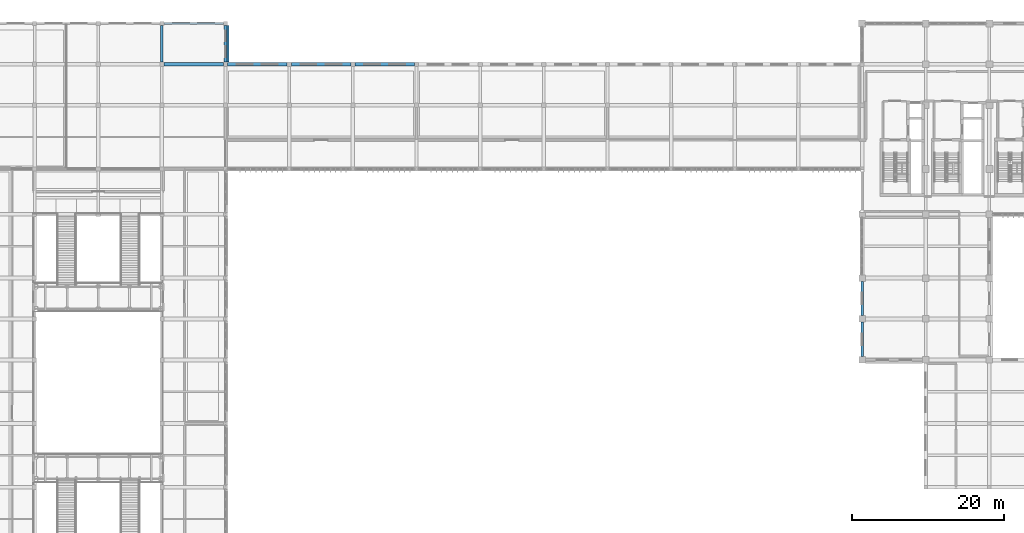
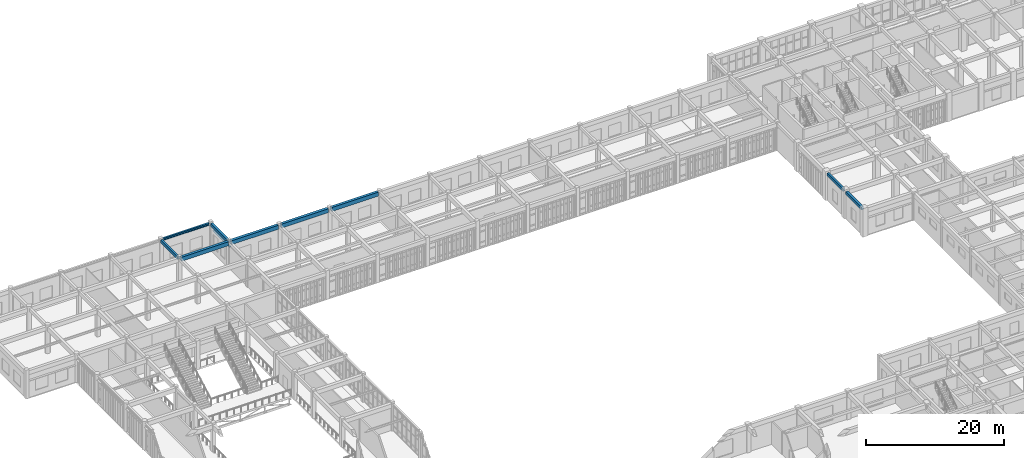
# One storey, part 42 of 106: 9 beams, 1 member.
"""IFC4 building model written with IfcOpenShell, lengths in metres."""

import ifcopenshell
import ifcopenshell.guid

model = None  # the IFC model being written
_history = None  # IfcOwnerHistory: only IFC2X3 demands one
_inside = {}  # id of a spatial element -> (the spatial element, [elements in it])
_under = {}  # id of a project, library or spatial element -> (it, [spatial elements below it])
_declared = {}  # id of a project -> (the project, [libraries it declares])
_typed = {}  # id of a type object -> (the type object, [elements of that type])
_made_of = {}  # id of a material, layer set ... -> (it, [elements and type objects made of it])


def new_model(schema):
    """Start an empty IFC model of exactly this schema.

    Asked for "IFC4X3", IfcOpenShell would pick the latest addendum, in which some entities
    have other attributes; the version numbers below select the first issue.
    IFC2X3 requires an IfcOwnerHistory on every rooted entity: one is made here for all.
    """
    global model, _history
    if schema == "IFC4X3":
        model = ifcopenshell.file(schema_version=(4, 3, 0, 0))
    else:
        model = ifcopenshell.file(schema=schema)
    _inside.clear()
    _under.clear()
    _declared.clear()
    _typed.clear()
    _made_of.clear()
    _history = None
    if model.schema == "IFC2X3":
        org = make("IfcOrganization", Name="unknown")
        user = make(
            "IfcPersonAndOrganization",
            ThePerson=make("IfcPerson", FamilyName="unknown"),
            TheOrganization=org,
        )
        app = make(
            "IfcApplication",
            ApplicationDeveloper=org,
            Version="unknown",
            ApplicationFullName="unknown",
            ApplicationIdentifier="unknown",
        )
        _history = make(
            "IfcOwnerHistory",
            OwningUser=user,
            OwningApplication=app,
            ChangeAction="ADDED",
            CreationDate=0,
        )
    return model


def make(cls, **values):
    """One entity of the class cls with the attributes given. An attribute that is None is left unset."""
    return model.create_entity(
        cls, **{name: value for name, value in values.items() if value is not None}
    )


def rooted(cls, **values):
    """An entity with a GlobalId (a new one), such as an element, a storey or a relation."""
    return make(cls, GlobalId=ifcopenshell.guid.new(), OwnerHistory=_history, **values)


def si_unit(unit_type, name, prefix=None):
    """IfcSIUnit, for example si_unit("LENGTHUNIT", "METRE", prefix="MILLI")."""
    return make("IfcSIUnit", UnitType=unit_type, Prefix=prefix, Name=name)


def assignment(units):
    """IfcUnitAssignment: the units of a project."""
    return None if units is None else make("IfcUnitAssignment", Units=units)


def point(xyz):
    """IfcCartesianPoint."""
    return None if xyz is None else make("IfcCartesianPoint", Coordinates=xyz)


def direction(xyz):
    """IfcDirection."""
    return None if xyz is None else make("IfcDirection", DirectionRatios=xyz)


def frame(location, z_axis=None, x_axis=None):
    """IfcAxis2Placement3D, a coordinate frame: its origin and axes. An axis left out is left unset."""
    return make(
        "IfcAxis2Placement3D",
        Location=point(location),
        Axis=direction(z_axis),
        RefDirection=direction(x_axis),
    )


def frame_2d(location, x_axis=None):
    """IfcAxis2Placement2D, a coordinate frame in the plane: its origin and x axis."""
    return make(
        "IfcAxis2Placement2D", Location=point(location), RefDirection=direction(x_axis)
    )


def origin():
    """The frame at (0, 0, 0) with its axes left unset."""
    return frame((0.0, 0.0, 0.0))


def origin_2d():
    """The frame at (0, 0) in the plane with its x axis left unset."""
    return frame_2d((0.0, 0.0))


def place(relative_to, where):
    """IfcLocalPlacement: puts the frame where relative to a parent placement (None: the world)."""
    return make(
        "IfcLocalPlacement", PlacementRelTo=relative_to, RelativePlacement=where
    )


def context(
    kind, dimensions, precision=None, world=None, true_north=None, identifier=None
):
    """IfcGeometricRepresentationContext, for example the 3D "Model" context."""
    return make(
        "IfcGeometricRepresentationContext",
        ContextIdentifier=identifier,
        ContextType=kind,
        CoordinateSpaceDimension=dimensions,
        Precision=precision,
        WorldCoordinateSystem=world,
        TrueNorth=true_north,
    )


def subcontext(parent, identifier, kind, view, scale=None):
    """IfcGeometricRepresentationSubContext, for example "Body" below "Model"."""
    return make(
        "IfcGeometricRepresentationSubContext",
        ContextIdentifier=identifier,
        ContextType=kind,
        ParentContext=parent,
        TargetScale=scale,
        TargetView=view,
    )


def project(units=None, contexts=None):
    """IfcProject with its units and contexts."""
    return rooted(
        "IfcProject",
        Name="project",
        RepresentationContexts=contexts,
        UnitsInContext=assignment(units),
    )


def spatial(cls, under=None, at=None, **own):
    """A site, building, storey or space (cls), placed at a placement, below another one or the project."""
    s = rooted(cls, ObjectPlacement=at, **own)
    if under is not None:
        _under.setdefault(under.id(), (under, []))[1].append(s)
    return s


def profile(cls, at=None, kind="AREA", **sizes):
    """A parametric profile (cls). Its sizes go by their IFC names, for example OverallWidth=200.0."""
    return make(cls, ProfileType=kind, Position=at, **sizes)


def rectangle(**sizes):
    """IfcRectangleProfileDef."""
    return profile("IfcRectangleProfileDef", **sizes)


def hollow_rectangle(**sizes):
    """IfcRectangleHollowProfileDef."""
    return profile("IfcRectangleHollowProfileDef", **sizes)


def i_section(**sizes):
    """IfcIShapeProfileDef."""
    return profile("IfcIShapeProfileDef", **sizes)


def extrude(swept, where, along, depth):
    """IfcExtrudedAreaSolid: the profile swept, set in the frame where, extruded along a direction by depth."""
    return make(
        "IfcExtrudedAreaSolid",
        SweptArea=swept,
        Position=where,
        ExtrudedDirection=direction(along),
        Depth=depth,
    )


def shape(context_of_items, identifier, shape_type, items):
    """IfcShapeRepresentation: the items that make up one representation, for example the "Body"."""
    return make(
        "IfcShapeRepresentation",
        ContextOfItems=context_of_items,
        RepresentationIdentifier=identifier,
        RepresentationType=shape_type,
        Items=items,
    )


def material(Name=None, Category=None):
    """IfcMaterial."""
    return make("IfcMaterial", Name=Name, Category=Category)


def material_profile(
    of_material, cross_section, Name=None, Category=None, Priority=None
):
    """IfcMaterialProfile: a cross section and its material."""
    return make(
        "IfcMaterialProfile",
        Name=Name,
        Material=of_material,
        Profile=cross_section,
        Priority=Priority,
        Category=Category,
    )


def profile_set(profiles, Name=None, composite=None):
    """IfcMaterialProfileSet."""
    return make(
        "IfcMaterialProfileSet",
        Name=Name,
        MaterialProfiles=profiles,
        CompositeProfile=composite,
    )


def made_of(thing, what):
    """Note that an element or type object is made of a material, layer set ...; save() writes the relation."""
    if what is not None:
        _made_of.setdefault(what.id(), (what, []))[1].append(thing)
    return thing


def type_object(cls, material=None, **own):
    """A type object (cls), such as IfcWallType, which elements share."""
    return made_of(rooted(cls, **own), material)


def element(
    cls,
    number,
    at=None,
    inside=None,
    cuts=None,
    type_object=None,
    material=None,
    context=None,
    identifier="Body",
    shape_type=None,
    held_by="IfcProductDefinitionShape",
    body=None,
    shapes=None,
    **own,
):
    """One element of the class cls, such as IfcWall. Its Tag is "e" and its number.

    at: its placement. inside: the storey or other place that contains it. cuts: it is an
    opening in that element (IfcRelVoidsElement). A single representation is given by context,
    identifier, shape_type and body (its items); several are given by shapes. held_by: the class
    of the entity that holds the representations. save() writes the other relations.
    """
    e = rooted(cls, Tag="e%d" % number, ObjectPlacement=at, **own)
    if body is not None:
        shapes = [shape(context, identifier, shape_type, body)]
    if shapes is not None:
        e.Representation = make(held_by, Representations=shapes)
    if inside is not None:
        _inside.setdefault(inside.id(), (inside, []))[1].append(e)
    if cuts is not None:
        rooted(
            "IfcRelVoidsElement", RelatingBuildingElement=cuts, RelatedOpeningElement=e
        )
    if type_object is not None:
        _typed.setdefault(type_object.id(), (type_object, []))[1].append(e)
    return made_of(e, material)


def aggregate(whole, parts):
    """IfcRelAggregates: a whole, such as a stair, and the parts it consists of."""
    return rooted("IfcRelAggregates", RelatingObject=whole, RelatedObjects=parts)


def save(model, path):
    """Write the relations noted so far, then the file.

    IfcRelAggregates (storeys below a building ...), IfcRelContainedInSpatialStructure (elements
    in a storey), IfcRelDefinesByType, IfcRelAssociatesMaterial and IfcRelDeclares: one each for
    every whole, place, type object, material and project.
    """
    for whole, parts in _under.values():
        aggregate(whole, parts)
    for where, things in _inside.values():
        rooted(
            "IfcRelContainedInSpatialStructure",
            RelatedElements=things,
            RelatingStructure=where,
        )
    for kind, things in _typed.values():
        rooted("IfcRelDefinesByType", RelatedObjects=things, RelatingType=kind)
    for what, things in _made_of.values():
        rooted("IfcRelAssociatesMaterial", RelatedObjects=things, RelatingMaterial=what)
    for by, libraries in _declared.values():
        rooted("IfcRelDeclares", RelatingContext=by, RelatedDefinitions=libraries)
    model.write(path)


model = new_model("IFC4")

# Units and contexts
model_context = context("Model", 3, precision=1e-05, world=origin(), true_north=direction((0.0, 1.0)))
body_context = subcontext(model_context, "Body", "Model", "MODEL_VIEW")
ifc_project = project(units=[si_unit("LENGTHUNIT", "METRE"), si_unit("AREAUNIT", "SQUARE_METRE"), si_unit("VOLUMEUNIT", "CUBIC_METRE"), si_unit("PLANEANGLEUNIT", "RADIAN"), si_unit("MASSUNIT", "GRAM", prefix="KILO")], contexts=[model_context])

# Site, building, storey
site_placement = place(None, origin())
site = spatial("IfcSite", under=ifc_project, at=site_placement, CompositionType="ELEMENT")
building_placement = place(site_placement, origin())
building = spatial("IfcBuilding", under=site, at=building_placement, Name="Krzemoval Escarpment Law Courts", CompositionType="ELEMENT")
storey_placement = place(building_placement, frame((0.0, 0.0, 5.10009765625)))
storey = spatial("IfcBuildingStorey", under=building, at=storey_placement, Name="L01", CompositionType="ELEMENT", Elevation=5.10009765625)

# Beams
ifc_material_1 = material(Name="Concrete C40/50", Category="concrete")
ifc_material_profile_1 = material_profile(ifc_material_1, rectangle(XDim=0.35009765625, YDim=0.550048828125, at=origin_2d()), Name="RCB 350x550")
ifc_profile_set_1 = profile_set([ifc_material_profile_1], Name="Concrete C40/50")
beam_type_1 = type_object("IfcBeamType", Name="BM-RC-350x550", PredefinedType="BEAM", material=ifc_profile_set_1)
for number, where, z_axis, x_axis, name in (
    (1, (33.60009765625, 113.675048828125, 4.544921875), (0.0, 1.0, 0.0), (-1.0, 0.0, 0.0), "Beam FG-L01-1435"),
    (2, (42.0, 113.675048828125, 4.544921875), (0.0, 1.0, 0.0), (-1.0, 0.0, 0.0), "Beam FG-L01-1451"),
):
    element("IfcBeam", number, at=place(storey_placement, frame(where, z_axis=z_axis, x_axis=x_axis)), inside=storey, type_object=beam_type_1, Name=name, PredefinedType="BEAM", context=body_context, shape_type="SweptSolid", body=[
        extrude(rectangle(XDim=0.35009765625, YDim=0.550048828125, at=origin_2d()), origin(), (0.0, 0.0, 1.0), 4.849853515625),
    ])
beam_1_placement = place(storey_placement, frame((126.0, 74.824951171875, 4.544921875), z_axis=(0.0, 1.0, 0.0), x_axis=(-1.0, 0.0, 0.0)))
element("IfcBeam", 3, at=beam_1_placement, inside=storey, type_object=beam_type_1, Name="Beam FG-L01-1513", PredefinedType="BEAM", context=body_context, shape_type="SweptSolid", body=[
    extrude(rectangle(XDim=0.35009765625, YDim=0.550048828125, at=origin_2d()), origin(), (0.0, 0.0, 1.0), 4.550048828125),
])
beam_2_placement = place(storey_placement, frame((126.0, 80.22509765625, 4.544921875), z_axis=(0.0, 1.0, 0.0), x_axis=(-1.0, 0.0, 0.0)))
element("IfcBeam", 4, at=beam_2_placement, inside=storey, type_object=beam_type_1, Name="Beam FG-L01-1514", PredefinedType="BEAM", context=body_context, shape_type="SweptSolid", body=[
    extrude(rectangle(XDim=0.35009765625, YDim=0.550048828125, at=origin_2d()), origin(), (0.0, 0.0, 1.0), 4.5498046875),
])
ifc_material_2 = material(Name="Concrete C40/50", Category="concrete")
ifc_material_profile_2 = material_profile(ifc_material_2, rectangle(XDim=0.449951171875, YDim=0.699951171875, at=origin_2d()), Name="RCB 450x700")
ifc_profile_set_2 = profile_set([ifc_material_profile_2], Name="Concrete C40/50")
beam_type_2 = type_object("IfcBeamType", Name="BM-RC-450x700", PredefinedType="BEAM", material=ifc_profile_set_2)
for number, where, z_axis, x_axis, name in (
    (5, (33.875, 113.39990234375, 4.469970703125), (1.0, 0.0, 0.0), (0.0, 1.0, 0.0), "Beam FG-L01-1341"),
    (6, (42.27490234375, 113.39990234375, 4.469970703125), (1.0, 0.0, 0.0), (0.0, 1.0, 0.0), "Beam FG-L01-1342"),
):
    element("IfcBeam", number, at=place(storey_placement, frame(where, z_axis=z_axis, x_axis=x_axis)), inside=storey, type_object=beam_type_2, Name=name, PredefinedType="BEAM", context=body_context, shape_type="SweptSolid", body=[
        extrude(rectangle(XDim=0.449951171875, YDim=0.699951171875, at=origin_2d()), origin(), (0.0, 0.0, 1.0), 7.85009765625),
    ])
beam_3_placement = place(storey_placement, frame((50.675048828125, 113.39990234375, 4.469970703125), z_axis=(1.0, 0.0, 0.0), x_axis=(0.0, 1.0, 0.0)))
element("IfcBeam", 7, at=beam_3_placement, inside=storey, type_object=beam_type_2, Name="Beam FG-L01-1343", PredefinedType="BEAM", context=body_context, shape_type="SweptSolid", body=[
    extrude(rectangle(XDim=0.449951171875, YDim=0.699951171875, at=origin_2d()), origin(), (0.0, 0.0, 1.0), 7.849853515625),
])
beam_4_placement = place(storey_placement, frame((59.074951171875, 113.39990234375, 4.469970703125), z_axis=(1.0, 0.0, 0.0), x_axis=(0.0, 1.0, 0.0)))
element("IfcBeam", 8, at=beam_4_placement, inside=storey, type_object=beam_type_2, Name="Beam FG-L01-1344", PredefinedType="BEAM", context=body_context, shape_type="SweptSolid", body=[
    extrude(rectangle(XDim=0.449951171875, YDim=0.699951171875, at=origin_2d()), origin(), (0.0, 0.0, 1.0), 7.85009765625),
])

# Member
ifc_material_3 = material(Name="Anodised Aluminium Alloy 6063-T6", Category="aluminium")
ifc_material_profile_3 = material_profile(ifc_material_3, hollow_rectangle(XDim=0.06005859375, YDim=0.320068359375, WallThickness=0.00390625, at=origin_2d()), Name="ALU LVR 60x320")
ifc_profile_set_3 = profile_set([ifc_material_profile_3], Name="Anodised Aluminium Alloy 6063-T6")
member_type = type_object("IfcMemberType", Name="LVR-ALU-320", PredefinedType="USERDEFINED", material=ifc_profile_set_3)
member_placement = place(storey_placement, frame((42.300048828125, 118.52490234375, 3.409912109375), z_axis=(0.0, -1.0, 0.0), x_axis=(0.0, 0.0, 1.0)))
element("IfcMember", 9, at=member_placement, inside=storey, type_object=member_type, Name="Window Sunshade Louvre FLV-L01-0086", ObjectType="SUNSHADE_LOUVRE", PredefinedType="USERDEFINED", context=body_context, shape_type="SweptSolid", body=[
    extrude(hollow_rectangle(XDim=0.06005859375, YDim=0.320068359375, WallThickness=0.00390625, at=origin_2d()), origin(), (0.0, 0.0, 1.0), 4.849853515625),
])

# Beam
ifc_material_4 = material(Name="Steel S355", Category="steel")
ifc_material_profile_4 = material_profile(ifc_material_4, i_section(OverallWidth=0.300048828125, OverallDepth=0.389892578125, WebThickness=0.010986328125, FlangeThickness=0.01904296875, at=origin_2d()), Name="HEA 400")
ifc_profile_set_4 = profile_set([ifc_material_profile_4], Name="Steel S355")
beam_type_3 = type_object("IfcBeamType", Name="SPN-S355-HEA400", PredefinedType="SPANDREL", material=ifc_profile_set_4)
beam_5_placement = place(storey_placement, frame((33.875, 118.800048828125, 4.625), z_axis=(1.0, 0.0, 0.0), x_axis=(0.0, 1.0, 0.0)))
element("IfcBeam", 10, at=beam_5_placement, inside=storey, type_object=beam_type_3, Name="Beam FG-L01-1363", PredefinedType="SPANDREL", context=body_context, shape_type="SweptSolid", body=[
    extrude(i_section(OverallWidth=0.300048828125, OverallDepth=0.389892578125, WebThickness=0.010986328125, FlangeThickness=0.01904296875, at=origin_2d()), origin(), (0.0, 0.0, 1.0), 7.85009765625),
])

save(model, "model.ifc")
